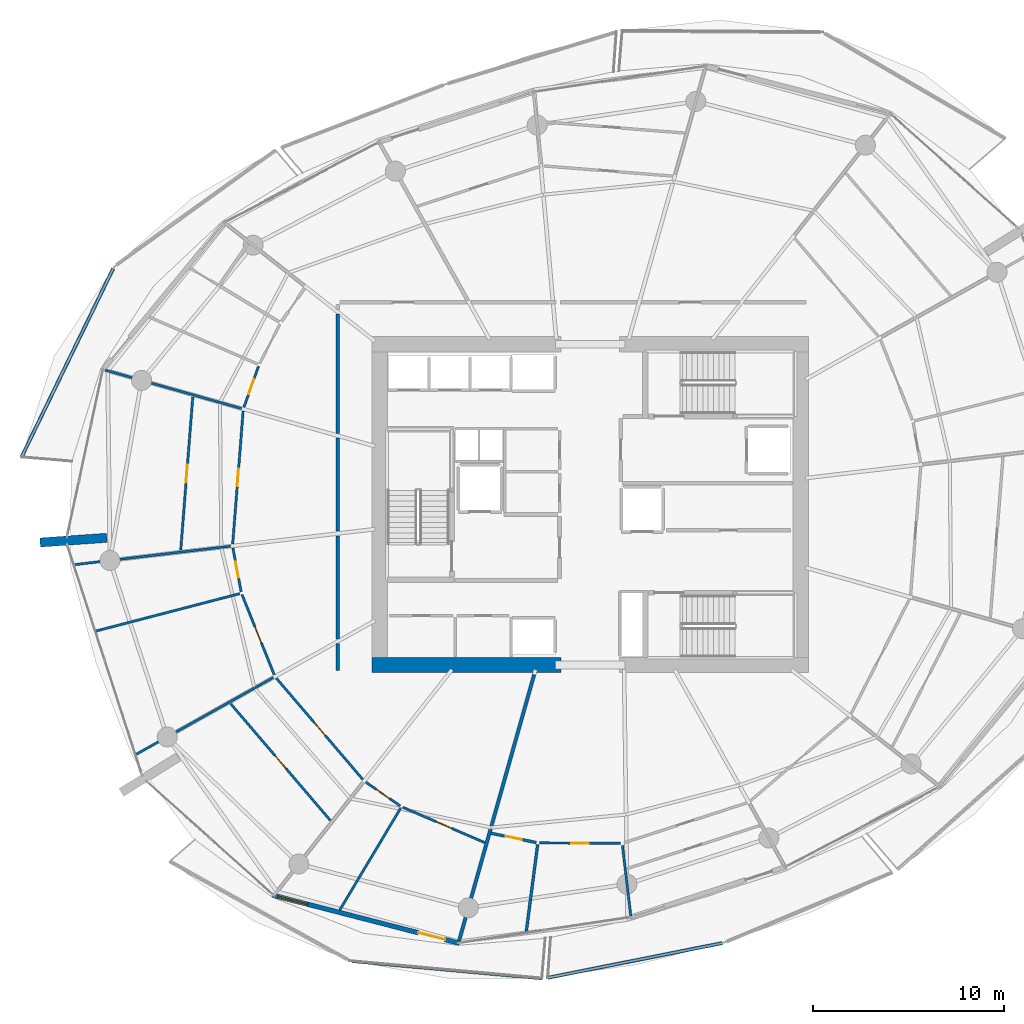
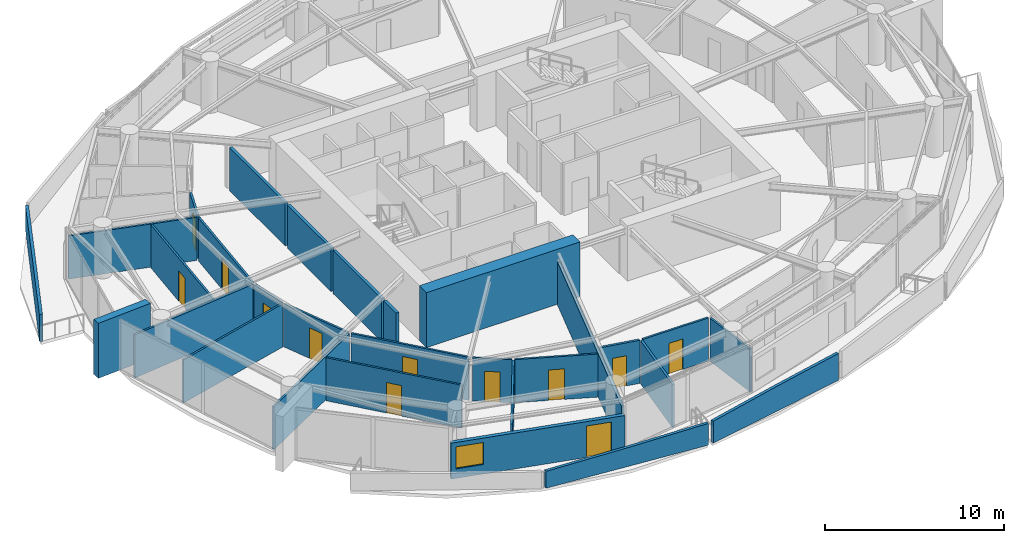
# One storey, part 11 of 20: 29 walls, 12 doors, 1 window, 13 openings.
"""IFC4 building model written with IfcOpenShell, lengths in metres."""

from ifc_helpers import new_model, si_unit, direction, frame, frame_2d, origin, place, context, subcontext, project, spatial, polyline, rectangle, outline, extrude, material, layer, layer_set, type_object, element, fill, save


model = new_model("IFC4")

# Units and contexts
model_context = context("Model", 3, precision=1e-05, world=origin(), true_north=direction((0.0, 1.0)))
body_context = subcontext(model_context, "Body", "Model", "MODEL_VIEW")
ifc_project = project(units=[si_unit("LENGTHUNIT", "METRE"), si_unit("AREAUNIT", "SQUARE_METRE"), si_unit("VOLUMEUNIT", "CUBIC_METRE"), si_unit("PLANEANGLEUNIT", "RADIAN"), si_unit("MASSUNIT", "GRAM", prefix="KILO")], contexts=[model_context])

# Site, building, storey
site_placement = place(None, origin())
site = spatial("IfcSite", under=ifc_project, at=site_placement, CompositionType="ELEMENT")
building_placement = place(site_placement, origin())
building = spatial("IfcBuilding", under=site, at=building_placement, Name="Kazma Halo Residences", CompositionType="ELEMENT")
storey_placement = place(building_placement, frame((0.0, 0.0, 165.300048828125)))
storey = spatial("IfcBuildingStorey", under=building, at=storey_placement, Name="L41", CompositionType="ELEMENT", Elevation=165.300048828125)

# Walls
ifc_material_1 = material(Name="White Concrete C50/60 Balustrade", Category="concrete")
ifc_layer_1 = layer(ifc_material_1, 0.179931640625)
ifc_layer_set_1 = layer_set([ifc_layer_1], Name="White Concrete C50/60 Balustrade")
wall_type_1 = type_object("IfcWallType", Name="WL-BAL-WAVE-180", PredefinedType="PARAPET", material=ifc_layer_set_1)
wall_1_placement = place(storey_placement, frame((23.443603515625, 54.37744140625, 0.0), z_axis=(0.0, 0.0, 1.0), x_axis=(-0.437208925246, -0.899359970026, 0.0)))
element("IfcWall", 1, at=wall_1_placement, inside=storey, type_object=wall_type_1, Name="L41 white wave balustrade wall NW.2", PredefinedType="PARAPET", context=body_context, shape_type="SweptSolid", body=[
    extrude(outline(polyline([(0.0, 0.0), (10.9921875, 0.0), (10.9921875, 1.85986328125), (5.49609375, 1.7978515625), (0.0, 1.6318359375), (0.0, 0.0)])), frame((0.0, 0.08984375, 0.0), z_axis=(0.0, -1.0, 0.0), x_axis=(1.0, 0.0, 0.0)), (0.0, 0.0, 1.0), 0.179931640625),
])
wall_2_placement = place(storey_placement, frame((35.9423828125, 18.090576171875, 0.0), z_axis=(0.0, 0.0, 1.0), x_axis=(0.995910609801, -0.09034410487, 0.0)))
element("IfcWall", 2, at=wall_2_placement, inside=storey, type_object=wall_type_1, Name="L41 white wave balustrade wall SW.2", PredefinedType="PARAPET", context=body_context, shape_type="SweptSolid", body=[
    extrude(outline(polyline([(0.0, 0.0), (9.9931640625, 0.0), (9.9931640625, 1.48291015625), (4.99658203125, 1.283935546875), (0.0, 1.14794921875), (0.0, 0.0)])), frame((0.0, 0.08984375, 0.0), z_axis=(0.0, -1.0, 0.0), x_axis=(1.0, 0.0, 0.0)), (0.0, 0.0, 1.0), 0.179931640625),
])
wall_3_placement = place(storey_placement, frame((46.201416015625, 17.21337890625, 0.0), z_axis=(0.0, 0.0, 1.0), x_axis=(0.980810829075, 0.194961836188, 0.0)))
element("IfcWall", 3, at=wall_3_placement, inside=storey, type_object=wall_type_1, Name="L41 white wave balustrade wall SSE.1", PredefinedType="PARAPET", context=body_context, shape_type="SweptSolid", body=[
    extrude(outline(polyline([(0.0, 0.0), (9.3154296875, 0.0), (9.3154296875, 1.83203125), (4.65771484375, 1.696044921875), (0.0, 1.4970703125), (0.0, 0.0)])), frame((0.0, 0.08984375, 0.0), z_axis=(0.0, -1.0, 0.0), x_axis=(1.0, 0.0, 0.0)), (0.0, 0.0, 1.0), 0.179931640625),
])
ifc_material_2 = material(Name="Pale Concrete C60/75", Category="concrete")
ifc_layer_2 = layer(ifc_material_2, 0.47998046875)
ifc_layer_set_2 = layer_set([ifc_layer_2], Name="Pale Concrete C60/75")
wall_type_2 = type_object("IfcWallType", Name="WL-BLADE-480", PredefinedType="SOLIDWALL", material=ifc_layer_set_2)
wall_4_placement = place(storey_placement, frame((23.10302734375, 40.259033203125, 0.0), z_axis=(0.0, 0.0, 1.0), x_axis=(-0.997564163539, -0.069754853754, 0.0)))
element("IfcWall", 4, at=wall_4_placement, inside=storey, type_object=wall_type_2, Name="L41 pale concrete structural blade fin wall BW-02", PredefinedType="SOLIDWALL", context=body_context, shape_type="SweptSolid", body=[
    extrude(rectangle(XDim=3.5, YDim=0.47998046875, at=frame_2d((1.75, 0.0))), origin(), (0.0, 0.0, 1.0), 3.75),
])
ifc_material_3 = material(Name="Concrete C80/95", Category="concrete")
ifc_layer_3 = layer(ifc_material_3, 0.800048828125)
ifc_layer_set_3 = layer_set([ifc_layer_3], Name="Concrete C80/95")
wall_type_3 = type_object("IfcWallType", Name="WL-CORE-800", PredefinedType="SHEAR", material=ifc_layer_set_3)
wall_5_placement = place(storey_placement, frame((37.0, 33.60009765625, 0.0), z_axis=(0.0, 0.0, 1.0), x_axis=(1.0, 0.0, 0.0)))
element("IfcWall", 5, at=wall_5_placement, inside=storey, type_object=wall_type_3, Name="L41 central core shear wall SW", PredefinedType="SHEAR", context=body_context, shape_type="SweptSolid", body=[
    extrude(rectangle(XDim=9.89990234375, YDim=0.800048828125, at=frame_2d((4.949951171875, 0.0))), origin(), (0.0, 0.0, 1.0), 3.75),
])
ifc_material_4 = material(Name="Acoustic Twin-Stud Gypsum")
ifc_layer_4 = layer(ifc_material_4, 0.179931640625)
ifc_layer_set_4 = layer_set([ifc_layer_4], Name="Acoustic Twin-Stud Gypsum")
wall_type_4 = type_object("IfcWallType", Name="WL-DEM-180", PredefinedType="PARTITIONING", material=ifc_layer_set_4)
wall_6_placement = place(storey_placement, frame((45.48828125, 33.093994140625, 0.0), z_axis=(0.0, 0.0, 1.0), x_axis=(-0.271442952208, -0.962454530717, 0.0)))
element("IfcWall", 6, at=wall_6_placement, inside=storey, type_object=wall_type_4, Name="L41 apartment demising radial wall 10", PredefinedType="PARTITIONING", context=body_context, shape_type="SweptSolid", body=[
    extrude(rectangle(XDim=14.486083984375, YDim=0.179931640625, at=frame_2d((7.2431640625, 0.0))), origin(), (0.0, 0.0, 1.0), 2.93994140625),
])
wall_7_placement = place(storey_placement, frame((35.199951171875, 51.970703125, 0.0), z_axis=(0.0, 0.0, 1.0), x_axis=(0.0, -1.0, 0.0)))
element("IfcWall", 7, at=wall_7_placement, inside=storey, type_object=wall_type_4, Name="L41 Apartment 1 inner wall 5", PredefinedType="PARTITIONING", context=body_context, shape_type="SweptSolid", body=[
    extrude(rectangle(XDim=6.24072265625, YDim=0.179931640625, at=frame_2d((3.120361328125, 0.0))), origin(), (0.0, 0.0, 1.0), 2.93994140625),
])
wall_8_placement = place(storey_placement, frame((35.199951171875, 45.489990234375, 0.0), z_axis=(0.0, 0.0, 1.0), x_axis=(0.0, -1.0, 0.0)))
element("IfcWall", 8, at=wall_8_placement, inside=storey, type_object=wall_type_4, Name="L41 Apartment 1 inner wall 6", PredefinedType="PARTITIONING", context=body_context, shape_type="SweptSolid", body=[
    extrude(rectangle(XDim=4.885009765625, YDim=0.179931640625, at=frame_2d((2.4423828125, 0.0))), origin(), (0.0, 0.0, 1.0), 2.93994140625),
])
wall_9_placement = place(storey_placement, frame((35.199951171875, 40.364990234375, 0.0), z_axis=(0.0, 0.0, 1.0), x_axis=(0.0, -1.0, 0.0)))
element("IfcWall", 9, at=wall_9_placement, inside=storey, type_object=wall_type_4, Name="L41 Apartment 1 inner wall 7", PredefinedType="PARTITIONING", context=body_context, shape_type="SweptSolid", body=[
    extrude(rectangle(XDim=5.413330078125, YDim=0.179931640625, at=frame_2d((2.70654296875, 0.0))), origin(), (0.0, 0.0, 1.0), 2.93994140625),
])
wall_10_placement = place(storey_placement, frame((35.199951171875, 34.711669921875, 0.0), z_axis=(0.0, 0.0, 1.0), x_axis=(0.0, -1.0, 0.0)))
element("IfcWall", 10, at=wall_10_placement, inside=storey, type_object=wall_type_4, Name="L41 Apartment 1 inner wall 8", PredefinedType="PARTITIONING", context=body_context, shape_type="SweptSolid", body=[
    extrude(rectangle(XDim=1.3916015625, YDim=0.179931640625, at=frame_2d((0.69580078125, 0.0))), origin(), (0.0, 0.0, 1.0), 2.93994140625),
])

# Wall, openings, door, window
ifc_material_5 = material(Name="Insulated Pale-Metal Composite Wall")
ifc_layer_5 = layer(ifc_material_5, 0.239990234375)
ifc_layer_set_5 = layer_set([ifc_layer_5], Name="Insulated Pale-Metal Composite Wall")
wall_type_5 = type_object("IfcWallType", Name="WL-EXT-HOST-240", PredefinedType="SOLIDWALL", material=ifc_layer_set_5)
wall_11_placement = place(storey_placement, frame((31.807861328125, 21.5341796875, 0.0), z_axis=(0.0, 0.0, 1.0), x_axis=(0.968379685126, -0.249481032214, 0.0)))
wall_11 = element("IfcWall", 11, at=wall_11_placement, inside=storey, type_object=wall_type_5, Name="L41 exterior terrace-access wall B10", PredefinedType="SOLIDWALL", context=body_context, shape_type="SweptSolid", body=[
    extrude(rectangle(XDim=10.08154296875, YDim=0.239990234375, at=frame_2d((5.040771484375, 0.0))), origin(), (0.0, 0.0, 1.0), 2.449951171875),
])
opening_1_placement = place(wall_11_placement, frame((7.861572265625, 0.0, 0.0)))
opening_1 = element("IfcOpeningElement", 12, at=opening_1_placement, cuts=wall_11, Name="Opening DTR-1600", PredefinedType="OPENING", context=body_context, shape_type="SweptSolid", body=[
    extrude(rectangle(XDim=1.449951171875, YDim=2.14990234375, at=frame_2d((0.72509765625, 1.074951171875))), frame((0.0, 0.1298828125, 0.0), z_axis=(0.0, -1.0, 0.0), x_axis=(1.0, 0.0, 0.0)), (0.0, 0.0, 1.0), 0.260009765625),
])
opening_2_placement = place(wall_11_placement, frame((0.280029296875, 0.0, 0.64990234375)))
opening_2 = element("IfcOpeningElement", 13, at=opening_2_placement, cuts=wall_11, Name="Opening W-1800", PredefinedType="OPENING", context=body_context, shape_type="SweptSolid", body=[
    extrude(rectangle(XDim=1.60009765625, YDim=1.5, at=frame_2d((0.800048828125, 0.75))), frame((0.0, 0.1298828125, 0.0), z_axis=(0.0, -1.0, 0.0), x_axis=(1.0, 0.0, 0.0)), (0.0, 0.0, 1.0), 0.260009765625),
])
ifc_material_6 = material(Name="Aluminium AW-6063 T6 Double-Glazed Terrace Door", Category="aluminium")
door_type_1 = type_object("IfcDoorType", Name="DR-EXT-TERR-1600", OperationType="NOTDEFINED", PredefinedType="DOOR", material=ifc_material_6)
door_1_placement = place(opening_1_placement, origin())
door_1 = element("IfcDoor", 14, at=door_1_placement, inside=storey, type_object=door_type_1, Name="L41 B10 balcony terrace door", OperationType="DOUBLE_DOOR_SLIDING", OverallHeight=2.14990234375, OverallWidth=1.449951171875, PredefinedType="DOOR", context=body_context, shape_type="SweptSolid", body=[
    extrude(rectangle(XDim=1.449951171875, YDim=2.14990234375, at=frame_2d((0.72509765625, 1.074951171875))), frame((0.0, 0.02490234375, 0.0), z_axis=(0.0, -1.0, 0.0), x_axis=(1.0, 0.0, 0.0)), (0.0, 0.0, 1.0), 0.050048828125),
])
fill(opening_1, door_1)
ifc_material_7 = material(Name="Clear Triple-Silver Low-E Glass in Aluminium AW-6063 T6 Frame", Category="aluminium")
window_type = type_object("IfcWindowType", Name="WIN-RES-1800", PartitioningType="DOUBLE_PANEL_VERTICAL", PredefinedType="WINDOW", material=ifc_material_7)
window_placement = place(opening_2_placement, origin())
window = element("IfcWindow", 15, at=window_placement, inside=storey, type_object=window_type, Name="L41 B10 apartment window", OverallHeight=1.5, OverallWidth=1.60009765625, PartitioningType="SINGLE_PANEL", PredefinedType="WINDOW", context=body_context, shape_type="SweptSolid", body=[
    extrude(rectangle(XDim=1.60009765625, YDim=1.5, at=frame_2d((0.800048828125, 0.75))), frame((0.0, 0.030029296875, 0.0), z_axis=(0.0, -1.0, 0.0), x_axis=(1.0, 0.0, 0.0)), (0.0, 0.0, 1.0), 0.06005859375),
])
fill(opening_2, window)

# Wall, opening, door
ifc_material_8 = material(Name="Gypsum Plasterboard Partition")
ifc_layer_6 = layer(ifc_material_8, 0.125)
ifc_layer_set_6 = layer_set([ifc_layer_6], Name="Gypsum Plasterboard Partition")
wall_type_6 = type_object("IfcWallType", Name="WL-PART-125", PredefinedType="PARTITIONING", material=ifc_layer_set_6)
wall_12_placement = place(storey_placement, frame((31.0537109375, 49.25439453125, 0.0), z_axis=(0.0, 0.0, 1.0), x_axis=(-0.335247594753, -0.942130060136, 0.0)))
wall_12 = element("IfcWall", 16, at=wall_12_placement, inside=storey, type_object=wall_type_6, Name="L41 Apartment 1 Primary Bedroom hall wall", PredefinedType="PARTITIONING", context=body_context, shape_type="SweptSolid", body=[
    extrude(rectangle(XDim=2.287353515625, YDim=0.125, at=frame_2d((1.1435546875, 0.0))), origin(), (0.0, 0.0, 1.0), 2.93994140625),
])
opening_3_placement = place(wall_12_placement, frame((0.71875, 0.0, 0.0)))
opening_3 = element("IfcOpeningElement", 17, at=opening_3_placement, cuts=wall_12, Name="Opening DB-900", PredefinedType="OPENING", context=body_context, shape_type="SweptSolid", body=[
    extrude(rectangle(XDim=0.85009765625, YDim=2.06005859375, at=frame_2d((0.425048828125, 1.030029296875))), frame((0.0, 0.072509765625, 0.0), z_axis=(0.0, -1.0, 0.0), x_axis=(1.0, 0.0, 0.0)), (0.0, 0.0, 1.0), 0.14501953125),
])
ifc_material_9 = material(Name="Moisture-Sealed Timber Leaf", Category="wood")
door_type_2 = type_object("IfcDoorType", Name="DR-BTH-900", OperationType="NOTDEFINED", PredefinedType="DOOR", material=ifc_material_9)
door_2_placement = place(opening_3_placement, origin())
door_2 = element("IfcDoor", 18, at=door_2_placement, inside=storey, type_object=door_type_2, Name="L41 Apartment 1 Primary Bedroom door", OperationType="SINGLE_SWING_RIGHT", OverallHeight=2.06005859375, OverallWidth=0.85009765625, PredefinedType="DOOR", context=body_context, shape_type="SweptSolid", body=[
    extrude(rectangle(XDim=0.85009765625, YDim=2.06005859375, at=frame_2d((0.425048828125, 1.030029296875))), frame((0.0, 0.02490234375, 0.0), z_axis=(0.0, -1.0, 0.0), x_axis=(1.0, 0.0, 0.0)), (0.0, 0.0, 1.0), 0.050048828125),
])
fill(opening_3, door_2)

# Wall
wall_13_placement = place(storey_placement, frame((30.156982421875, 47.0322265625, 0.0), z_axis=(0.0, 0.0, 1.0), x_axis=(-0.962456736489, 0.271435131084, 0.0)))
element("IfcWall", 19, at=wall_13_placement, inside=storey, type_object=wall_type_6, Name="L41 Apartment 1 radial partition 6", PredefinedType="PARTITIONING", context=body_context, shape_type="SweptSolid", body=[
    extrude(rectangle(XDim=7.412353515625, YDim=0.125, at=frame_2d((3.7060546875, 0.0))), origin(), (0.0, 0.0, 1.0), 2.93994140625),
])

# Wall, opening, door
wall_14_placement = place(storey_placement, frame((30.24462890625, 46.8955078125, 0.0), z_axis=(0.0, 0.0, 1.0), x_axis=(-0.078444324085, -0.996918496177, 0.0)))
wall_14 = element("IfcWall", 20, at=wall_14_placement, inside=storey, type_object=wall_type_6, Name="L41 Apartment 1 Primary Study hall wall", PredefinedType="PARTITIONING", context=body_context, shape_type="SweptSolid", body=[
    extrude(rectangle(XDim=6.974609375, YDim=0.125, at=frame_2d((3.4873046875, 0.0))), origin(), (0.0, 0.0, 1.0), 2.93994140625),
])
opening_4_placement = place(wall_14_placement, frame((3.037353515625, 0.0, 0.0)))
opening_4 = element("IfcOpeningElement", 21, at=opening_4_placement, cuts=wall_14, Name="Opening DI-950", PredefinedType="OPENING", context=body_context, shape_type="SweptSolid", body=[
    extrude(rectangle(XDim=0.89990234375, YDim=2.080078125, at=frame_2d((0.449951171875, 1.0400390625))), frame((0.0, 0.072509765625, 0.0), z_axis=(0.0, -1.0, 0.0), x_axis=(1.0, 0.0, 0.0)), (0.0, 0.0, 1.0), 0.14501953125),
])
ifc_material_10 = material(Name="Timber Veneer Flush Leaf", Category="wood")
door_type_3 = type_object("IfcDoorType", Name="DR-INT-950", OperationType="NOTDEFINED", PredefinedType="DOOR", material=ifc_material_10)
door_3_placement = place(opening_4_placement, origin())
door_3 = element("IfcDoor", 22, at=door_3_placement, inside=storey, type_object=door_type_3, Name="L41 Apartment 1 Primary Study door", OperationType="SINGLE_SWING_RIGHT", OverallHeight=2.080078125, OverallWidth=0.89990234375, PredefinedType="DOOR", context=body_context, shape_type="SweptSolid", body=[
    extrude(rectangle(XDim=0.89990234375, YDim=2.080078125, at=frame_2d((0.449951171875, 1.0400390625))), frame((0.0, 0.02490234375, 0.0), z_axis=(0.0, -1.0, 0.0), x_axis=(1.0, 0.0, 0.0)), (0.0, 0.0, 1.0), 0.050048828125),
])
fill(opening_4, door_3)

wall_15_placement = place(storey_placement, frame((27.607666015625, 47.63916015625, 0.0), z_axis=(0.0, 0.0, 1.0), x_axis=(-0.078490541144, -0.996914858426, 0.0)))
wall_15 = element("IfcWall", 23, at=wall_15_placement, inside=storey, type_object=wall_type_6, Name="L41 Apartment 1 Secondary Master Bedroom divider wall", PredefinedType="PARTITIONING", context=body_context, shape_type="SweptSolid", body=[
    extrude(rectangle(XDim=8.043701171875, YDim=0.125, at=frame_2d((4.02197265625, 0.0))), origin(), (0.0, 0.0, 1.0), 2.93994140625),
])
opening_5_placement = place(wall_15_placement, frame((3.57177734375, 0.0, 0.0)))
opening_5 = element("IfcOpeningElement", 24, at=opening_5_placement, cuts=wall_15, Name="Opening DI-950", PredefinedType="OPENING", context=body_context, shape_type="SweptSolid", body=[
    extrude(rectangle(XDim=0.89990234375, YDim=2.080078125, at=frame_2d((0.449951171875, 1.0400390625))), frame((0.0, 0.072509765625, 0.0), z_axis=(0.0, -1.0, 0.0), x_axis=(1.0, 0.0, 0.0)), (0.0, 0.0, 1.0), 0.14501953125),
])
door_4_placement = place(opening_5_placement, origin())
door_4 = element("IfcDoor", 25, at=door_4_placement, inside=storey, type_object=door_type_3, Name="L41 Apartment 1 Secondary Master Bedroom door", OperationType="SINGLE_SWING_LEFT", OverallHeight=2.080078125, OverallWidth=0.89990234375, PredefinedType="DOOR", context=body_context, shape_type="SweptSolid", body=[
    extrude(rectangle(XDim=0.89990234375, YDim=2.080078125, at=frame_2d((0.449951171875, 1.0400390625))), frame((0.0, 0.02490234375, 0.0), z_axis=(0.0, -1.0, 0.0), x_axis=(1.0, 0.0, 0.0)), (0.0, 0.0, 1.0), 0.050048828125),
])
fill(opening_5, door_4)

# Walls
wall_16_placement = place(storey_placement, frame((29.589599609375, 39.82080078125, 0.0), z_axis=(0.0, 0.0, 1.0), x_axis=(-0.993070354128, -0.117521367213, 0.0)))
element("IfcWall", 26, at=wall_16_placement, inside=storey, type_object=wall_type_6, Name="L41 Apartment 1 radial partition 7", PredefinedType="PARTITIONING", context=body_context, shape_type="SweptSolid", body=[
    extrude(rectangle(XDim=8.247314453125, YDim=0.125, at=frame_2d((4.12353515625, 0.0))), origin(), (0.0, 0.0, 1.0), 2.93994140625),
])
wall_17_placement = place(storey_placement, frame((30.067626953125, 37.335693359375, 0.0), z_axis=(0.0, 0.0, 1.0), x_axis=(-0.967797769308, -0.251728976723, 0.0)))
element("IfcWall", 27, at=wall_17_placement, inside=storey, type_object=wall_type_6, Name="L41 Apartment 1 mid-bay wall 7", PredefinedType="PARTITIONING", context=body_context, shape_type="SweptSolid", body=[
    extrude(rectangle(XDim=7.788818359375, YDim=0.125, at=frame_2d((3.89453125, 0.0))), origin(), (0.0, 0.0, 1.0), 2.93994140625),
])

# Wall, opening, door
wall_18_placement = place(storey_placement, frame((29.707275390625, 39.734375, 0.0), z_axis=(0.0, 0.0, 1.0), x_axis=(0.185057746292, -0.9827276482, 0.0)))
wall_18 = element("IfcWall", 28, at=wall_18_placement, inside=storey, type_object=wall_type_6, Name="L41 Apartment 1 East Wine Pantry Store hall wall", PredefinedType="PARTITIONING", context=body_context, shape_type="SweptSolid", body=[
    extrude(rectangle(XDim=2.337646484375, YDim=0.125, at=frame_2d((1.1689453125, 0.0))), origin(), (0.0, 0.0, 1.0), 2.93994140625),
])
opening_6_placement = place(wall_18_placement, frame((0.743896484375, 0.0, 0.0)))
opening_6 = element("IfcOpeningElement", 29, at=opening_6_placement, cuts=wall_18, Name="Opening DB-900", PredefinedType="OPENING", context=body_context, shape_type="SweptSolid", body=[
    extrude(rectangle(XDim=0.85009765625, YDim=2.06005859375, at=frame_2d((0.425048828125, 1.030029296875))), frame((0.0, 0.072509765625, 0.0), z_axis=(0.0, -1.0, 0.0), x_axis=(1.0, 0.0, 0.0)), (0.0, 0.0, 1.0), 0.14501953125),
])
door_5_placement = place(opening_6_placement, origin())
door_5 = element("IfcDoor", 30, at=door_5_placement, inside=storey, type_object=door_type_2, Name="L41 Apartment 1 East Wine Pantry Store door", OperationType="SINGLE_SWING_LEFT", OverallHeight=2.06005859375, OverallWidth=0.85009765625, PredefinedType="DOOR", context=body_context, shape_type="SweptSolid", body=[
    extrude(rectangle(XDim=0.85009765625, YDim=2.06005859375, at=frame_2d((0.425048828125, 1.030029296875))), frame((0.0, 0.02490234375, 0.0), z_axis=(0.0, -1.0, 0.0), x_axis=(1.0, 0.0, 0.0)), (0.0, 0.0, 1.0), 0.050048828125),
])
fill(opening_6, door_5)

wall_19_placement = place(storey_placement, frame((30.184814453125, 37.2841796875, 0.0), z_axis=(0.0, 0.0, 1.0), x_axis=(0.373193309098, -0.927753606322, 0.0)))
wall_19 = element("IfcWall", 31, at=wall_19_placement, inside=storey, type_object=wall_type_6, Name="L41 Apartment 1 West Formal Dining Room hall wall", PredefinedType="PARTITIONING", context=body_context, shape_type="SweptSolid", body=[
    extrude(rectangle(XDim=4.5283203125, YDim=0.125, at=frame_2d((2.26416015625, 0.0))), origin(), (0.0, 0.0, 1.0), 2.93994140625),
])
opening_7_placement = place(wall_19_placement, frame((1.814208984375, 0.0, 0.0)))
opening_7 = element("IfcOpeningElement", 32, at=opening_7_placement, cuts=wall_19, Name="Opening DI-950", PredefinedType="OPENING", context=body_context, shape_type="SweptSolid", body=[
    extrude(rectangle(XDim=0.89990234375, YDim=2.080078125, at=frame_2d((0.449951171875, 1.0400390625))), frame((0.0, 0.072509765625, 0.0), z_axis=(0.0, -1.0, 0.0), x_axis=(1.0, 0.0, 0.0)), (0.0, 0.0, 1.0), 0.14501953125),
])
door_6_placement = place(opening_7_placement, origin())
door_6 = element("IfcDoor", 33, at=door_6_placement, inside=storey, type_object=door_type_3, Name="L41 Apartment 1 West Formal Dining Room door", OperationType="SINGLE_SWING_RIGHT", OverallHeight=2.080078125, OverallWidth=0.89990234375, PredefinedType="DOOR", context=body_context, shape_type="SweptSolid", body=[
    extrude(rectangle(XDim=0.89990234375, YDim=2.080078125, at=frame_2d((0.449951171875, 1.0400390625))), frame((0.0, 0.02490234375, 0.0), z_axis=(0.0, -1.0, 0.0), x_axis=(1.0, 0.0, 0.0)), (0.0, 0.0, 1.0), 0.050048828125),
])
fill(opening_7, door_6)

# Wall
wall_20_placement = place(storey_placement, frame((31.82470703125, 32.94140625, 0.0), z_axis=(0.0, 0.0, 1.0), x_axis=(-0.872491881101, -0.488628608877, 0.0)))
element("IfcWall", 34, at=wall_20_placement, inside=storey, type_object=wall_type_6, Name="L41 Apartment 1 radial partition 8", PredefinedType="PARTITIONING", context=body_context, shape_type="SweptSolid", body=[
    extrude(rectangle(XDim=8.2470703125, YDim=0.125, at=frame_2d((4.12353515625, 0.0))), origin(), (0.0, 0.0, 1.0), 2.93994140625),
])

# Wall, opening, door
wall_21_placement = place(storey_placement, frame((31.9833984375, 32.90673828125, 0.0), z_axis=(0.0, 0.0, 1.0), x_axis=(0.649447060425, -0.76040680935, 0.0)))
wall_21 = element("IfcWall", 35, at=wall_21_placement, inside=storey, type_object=wall_type_6, Name="L41 Apartment 1 North Study hall wall", PredefinedType="PARTITIONING", context=body_context, shape_type="SweptSolid", body=[
    extrude(rectangle(XDim=6.974853515625, YDim=0.125, at=frame_2d((3.4873046875, 0.0))), origin(), (0.0, 0.0, 1.0), 2.93994140625),
])
opening_8_placement = place(wall_21_placement, frame((3.037353515625, 0.0, 0.0)))
opening_8 = element("IfcOpeningElement", 36, at=opening_8_placement, cuts=wall_21, Name="Opening DI-950", PredefinedType="OPENING", context=body_context, shape_type="SweptSolid", body=[
    extrude(rectangle(XDim=0.89990234375, YDim=2.080078125, at=frame_2d((0.449951171875, 1.0400390625))), frame((0.0, 0.072509765625, 0.0), z_axis=(0.0, -1.0, 0.0), x_axis=(1.0, 0.0, 0.0)), (0.0, 0.0, 1.0), 0.14501953125),
])
door_7_placement = place(opening_8_placement, origin())
door_7 = element("IfcDoor", 37, at=door_7_placement, inside=storey, type_object=door_type_3, Name="L41 Apartment 1 North Study door", OperationType="SINGLE_SWING_RIGHT", OverallHeight=2.080078125, OverallWidth=0.89990234375, PredefinedType="DOOR", context=body_context, shape_type="SweptSolid", body=[
    extrude(rectangle(XDim=0.89990234375, YDim=2.080078125, at=frame_2d((0.449951171875, 1.0400390625))), frame((0.0, 0.02490234375, 0.0), z_axis=(0.0, -1.0, 0.0), x_axis=(1.0, 0.0, 0.0)), (0.0, 0.0, 1.0), 0.050048828125),
])
fill(opening_8, door_7)

wall_22_placement = place(storey_placement, frame((29.5927734375, 31.56787109375, 0.0), z_axis=(0.0, 0.0, 1.0), x_axis=(0.649460624158, -0.760395224649, 0.0)))
wall_22 = element("IfcWall", 38, at=wall_22_placement, inside=storey, type_object=wall_type_6, Name="L41 Apartment 1 South Master Bedroom divider wall", PredefinedType="PARTITIONING", context=body_context, shape_type="SweptSolid", body=[
    extrude(rectangle(XDim=8.043701171875, YDim=0.125, at=frame_2d((4.02197265625, 0.0))), origin(), (0.0, 0.0, 1.0), 2.93994140625),
])
opening_9_placement = place(wall_22_placement, frame((3.572021484375, 0.0, 0.0)))
opening_9 = element("IfcOpeningElement", 39, at=opening_9_placement, cuts=wall_22, Name="Opening DI-950", PredefinedType="OPENING", context=body_context, shape_type="SweptSolid", body=[
    extrude(rectangle(XDim=0.89990234375, YDim=2.080078125, at=frame_2d((0.449951171875, 1.0400390625))), frame((0.0, 0.072509765625, 0.0), z_axis=(0.0, -1.0, 0.0), x_axis=(1.0, 0.0, 0.0)), (0.0, 0.0, 1.0), 0.14501953125),
])
door_8_placement = place(opening_9_placement, origin())
door_8 = element("IfcDoor", 40, at=door_8_placement, inside=storey, type_object=door_type_3, Name="L41 Apartment 1 South Master Bedroom door", OperationType="SINGLE_SWING_LEFT", OverallHeight=2.080078125, OverallWidth=0.89990234375, PredefinedType="DOOR", context=body_context, shape_type="SweptSolid", body=[
    extrude(rectangle(XDim=0.89990234375, YDim=2.080078125, at=frame_2d((0.449951171875, 1.0400390625))), frame((0.0, 0.02490234375, 0.0), z_axis=(0.0, -1.0, 0.0), x_axis=(1.0, 0.0, 0.0)), (0.0, 0.0, 1.0), 0.050048828125),
])
fill(opening_9, door_8)

# Wall
wall_23_placement = place(storey_placement, frame((38.492919921875, 26.095947265625, 0.0), z_axis=(0.0, 0.0, 1.0), x_axis=(-0.513080671857, -0.858340389453, 0.0)))
element("IfcWall", 41, at=wall_23_placement, inside=storey, type_object=wall_type_6, Name="L41 Apartment 1 mid-bay wall 9", PredefinedType="PARTITIONING", context=body_context, shape_type="SweptSolid", body=[
    extrude(rectangle(XDim=6.21923828125, YDim=0.125, at=frame_2d((3.109619140625, 0.0))), origin(), (0.0, 0.0, 1.0), 2.93994140625),
])

# Wall, opening, door
wall_24_placement = place(storey_placement, frame((36.6669921875, 27.462890625, 0.0), z_axis=(0.0, 0.0, 1.0), x_axis=(0.823476398479, -0.567350527582, 0.0)))
wall_24 = element("IfcWall", 42, at=wall_24_placement, inside=storey, type_object=wall_type_6, Name="L41 Apartment 1 Inner Wine Pantry Store hall wall", PredefinedType="PARTITIONING", context=body_context, shape_type="SweptSolid", body=[
    extrude(rectangle(XDim=2.193359375, YDim=0.125, at=frame_2d((1.0966796875, 0.0))), origin(), (0.0, 0.0, 1.0), 2.93994140625),
])
opening_10_placement = place(wall_24_placement, frame((0.671630859375, 0.0, 0.0)))
opening_10 = element("IfcOpeningElement", 43, at=opening_10_placement, cuts=wall_24, Name="Opening DB-900", PredefinedType="OPENING", context=body_context, shape_type="SweptSolid", body=[
    extrude(rectangle(XDim=0.85009765625, YDim=2.06005859375, at=frame_2d((0.425048828125, 1.030029296875))), frame((0.0, 0.072509765625, 0.0), z_axis=(0.0, -1.0, 0.0), x_axis=(1.0, 0.0, 0.0)), (0.0, 0.0, 1.0), 0.14501953125),
])
door_9_placement = place(opening_10_placement, origin())
door_9 = element("IfcDoor", 44, at=door_9_placement, inside=storey, type_object=door_type_2, Name="L41 Apartment 1 Inner Wine Pantry Store door", OperationType="SINGLE_SWING_LEFT", OverallHeight=2.06005859375, OverallWidth=0.85009765625, PredefinedType="DOOR", context=body_context, shape_type="SweptSolid", body=[
    extrude(rectangle(XDim=0.85009765625, YDim=2.06005859375, at=frame_2d((0.425048828125, 1.030029296875))), frame((0.0, 0.02490234375, 0.0), z_axis=(0.0, -1.0, 0.0), x_axis=(1.0, 0.0, 0.0)), (0.0, 0.0, 1.0), 0.050048828125),
])
fill(opening_10, door_9)

wall_25_placement = place(storey_placement, frame((38.612548828125, 26.1416015625, 0.0), z_axis=(0.0, 0.0, 1.0), x_axis=(0.918381064076, -0.395697133105, 0.0)))
wall_25 = element("IfcWall", 45, at=wall_25_placement, inside=storey, type_object=wall_type_6, Name="L41 Apartment 1 Outer Formal Dining Room hall wall", PredefinedType="PARTITIONING", context=body_context, shape_type="SweptSolid", body=[
    extrude(rectangle(XDim=4.671875, YDim=0.125, at=frame_2d((2.3359375, 0.0))), origin(), (0.0, 0.0, 1.0), 2.93994140625),
])
opening_11_placement = place(wall_25_placement, frame((1.885986328125, 0.0, 0.0)))
opening_11 = element("IfcOpeningElement", 46, at=opening_11_placement, cuts=wall_25, Name="Opening DI-950", PredefinedType="OPENING", context=body_context, shape_type="SweptSolid", body=[
    extrude(rectangle(XDim=0.89990234375, YDim=2.080078125, at=frame_2d((0.449951171875, 1.0400390625))), frame((0.0, 0.072509765625, 0.0), z_axis=(0.0, -1.0, 0.0), x_axis=(1.0, 0.0, 0.0)), (0.0, 0.0, 1.0), 0.14501953125),
])
door_10_placement = place(opening_11_placement, origin())
door_10 = element("IfcDoor", 47, at=door_10_placement, inside=storey, type_object=door_type_3, Name="L41 Apartment 1 Outer Formal Dining Room door", OperationType="SINGLE_SWING_RIGHT", OverallHeight=2.080078125, OverallWidth=0.89990234375, PredefinedType="DOOR", context=body_context, shape_type="SweptSolid", body=[
    extrude(rectangle(XDim=0.89990234375, YDim=2.080078125, at=frame_2d((0.449951171875, 1.0400390625))), frame((0.0, 0.02490234375, 0.0), z_axis=(0.0, -1.0, 0.0), x_axis=(1.0, 0.0, 0.0)), (0.0, 0.0, 1.0), 0.050048828125),
])
fill(opening_11, door_10)

wall_26_placement = place(storey_placement, frame((45.773681640625, 24.2802734375, 0.0), z_axis=(0.0, 0.0, 1.0), x_axis=(0.999981257614, -0.006122452106, 0.0)))
wall_26 = element("IfcWall", 48, at=wall_26_placement, inside=storey, type_object=wall_type_6, Name="L41 Apartment 2 Gourmet Kitchen hall wall", PredefinedType="PARTITIONING", context=body_context, shape_type="SweptSolid", body=[
    extrude(rectangle(XDim=4.226806640625, YDim=0.125, at=frame_2d((2.11328125, 0.0))), origin(), (0.0, 0.0, 1.0), 2.93994140625),
])
opening_12_placement = place(wall_26_placement, frame((1.663330078125, 0.0, 0.0)))
opening_12 = element("IfcOpeningElement", 49, at=opening_12_placement, cuts=wall_26, Name="Opening DI-950", PredefinedType="OPENING", context=body_context, shape_type="SweptSolid", body=[
    extrude(rectangle(XDim=0.89990234375, YDim=2.080078125, at=frame_2d((0.449951171875, 1.0400390625))), frame((0.0, 0.072509765625, 0.0), z_axis=(0.0, -1.0, 0.0), x_axis=(1.0, 0.0, 0.0)), (0.0, 0.0, 1.0), 0.14501953125),
])
door_11_placement = place(opening_12_placement, origin())
door_11 = element("IfcDoor", 50, at=door_11_placement, inside=storey, type_object=door_type_3, Name="L41 Apartment 2 Gourmet Kitchen door", OperationType="SINGLE_SWING_RIGHT", OverallHeight=2.080078125, OverallWidth=0.89990234375, PredefinedType="DOOR", context=body_context, shape_type="SweptSolid", body=[
    extrude(rectangle(XDim=0.89990234375, YDim=2.080078125, at=frame_2d((0.449951171875, 1.0400390625))), frame((0.0, 0.02490234375, 0.0), z_axis=(0.0, -1.0, 0.0), x_axis=(1.0, 0.0, 0.0)), (0.0, 0.0, 1.0), 0.050048828125),
])
fill(opening_12, door_11)

# Wall
wall_27_placement = place(storey_placement, frame((50.1123046875, 24.154541015625, 0.0), z_axis=(0.0, 0.0, 1.0), x_axis=(0.117510984651, -0.99307158276, 0.0)))
element("IfcWall", 51, at=wall_27_placement, inside=storey, type_object=wall_type_6, Name="L41 Apartment 2 radial partition 11", PredefinedType="PARTITIONING", context=body_context, shape_type="SweptSolid", body=[
    extrude(rectangle(XDim=3.7646484375, YDim=0.125, at=frame_2d((1.88232421875, 0.0))), origin(), (0.0, 0.0, 1.0), 2.93994140625),
])

# Wall, opening, door
ifc_material_11 = material(Name="Moisture-Resistant Gypsum")
ifc_layer_7 = layer(ifc_material_11, 0.14990234375)
ifc_layer_set_7 = layer_set([ifc_layer_7], Name="Moisture-Resistant Gypsum")
wall_type_7 = type_object("IfcWallType", Name="WL-WET-150", PredefinedType="PARTITIONING", material=ifc_layer_set_7)
wall_28_placement = place(storey_placement, frame((43.247314453125, 24.78076171875, 0.0), z_axis=(0.0, 0.0, 1.0), x_axis=(0.979581104341, -0.201049396961, 0.0)))
wall_28 = element("IfcWall", 52, at=wall_28_placement, inside=storey, type_object=wall_type_7, Name="L41 Apartment 2 Guest Bathroom hall wall", PredefinedType="PARTITIONING", context=body_context, shape_type="SweptSolid", body=[
    extrude(rectangle(XDim=2.39697265625, YDim=0.14990234375, at=frame_2d((1.198486328125, 0.0))), origin(), (0.0, 0.0, 1.0), 2.93994140625),
])
opening_13_placement = place(wall_28_placement, frame((0.7734375, 0.0, 0.0)))
opening_13 = element("IfcOpeningElement", 53, at=opening_13_placement, cuts=wall_28, Name="Opening DB-900", PredefinedType="OPENING", context=body_context, shape_type="SweptSolid", body=[
    extrude(rectangle(XDim=0.85009765625, YDim=2.06005859375, at=frame_2d((0.425048828125, 1.030029296875))), frame((0.0, 0.0849609375, 0.0), z_axis=(0.0, -1.0, 0.0), x_axis=(1.0, 0.0, 0.0)), (0.0, 0.0, 1.0), 0.169921875),
])
door_12_placement = place(opening_13_placement, origin())
door_12 = element("IfcDoor", 54, at=door_12_placement, inside=storey, type_object=door_type_2, Name="L41 Apartment 2 Guest Bathroom door", OperationType="SINGLE_SWING_RIGHT", OverallHeight=2.06005859375, OverallWidth=0.85009765625, PredefinedType="DOOR", context=body_context, shape_type="SweptSolid", body=[
    extrude(rectangle(XDim=0.85009765625, YDim=2.06005859375, at=frame_2d((0.425048828125, 1.030029296875))), frame((0.0, 0.02490234375, 0.0), z_axis=(0.0, -1.0, 0.0), x_axis=(1.0, 0.0, 0.0)), (0.0, 0.0, 1.0), 0.050048828125),
])
fill(opening_13, door_12)

# Wall
wall_29_placement = place(storey_placement, frame((45.672119140625, 24.191650390625, 0.0), z_axis=(0.0, 0.0, 1.0), x_axis=(-0.129620296369, -0.991563703838, 0.0)))
element("IfcWall", 55, at=wall_29_placement, inside=storey, type_object=wall_type_7, Name="L41 Apartment 2 Guest Bathroom side wall", PredefinedType="PARTITIONING", context=body_context, shape_type="SweptSolid", body=[
    extrude(rectangle(XDim=4.640869140625, YDim=0.14990234375, at=frame_2d((2.3203125, 0.0))), origin(), (0.0, 0.0, 1.0), 2.93994140625),
])

save(model, "model.ifc")
